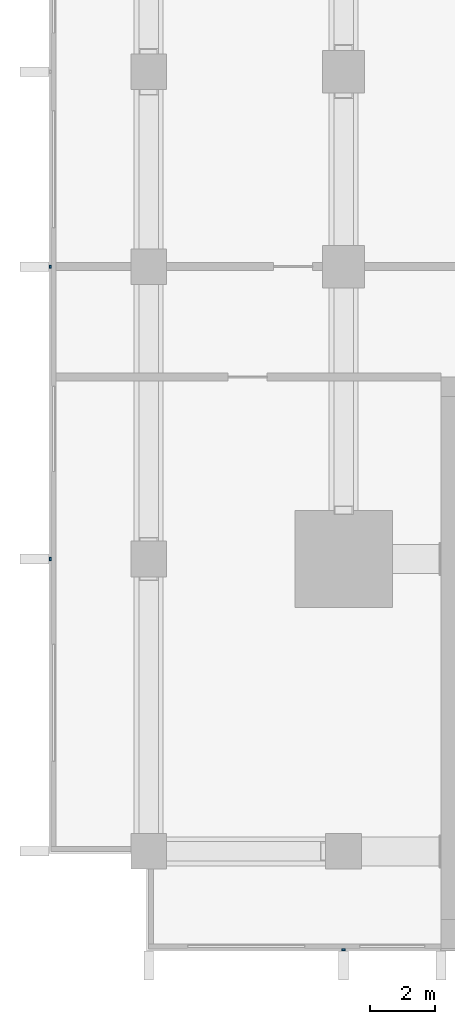
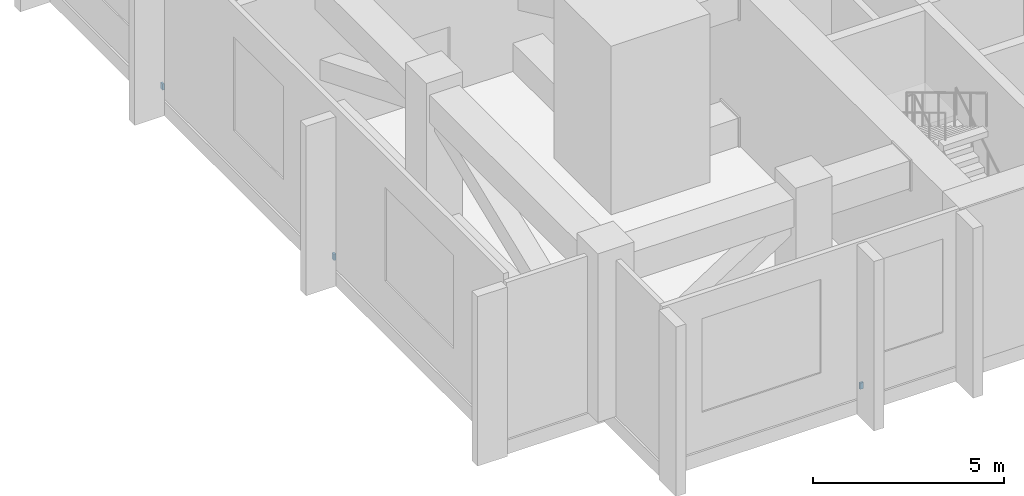
# One storey, part 6 of 13: 3 discrete accessories.
"""IFC4 building model written with IfcOpenShell, lengths in metres."""

from ifc_helpers import new_model, si_unit, direction, frame, origin, origin_2d, place, context, subcontext, project, spatial, rectangle, extrude, material, type_object, element, save


model = new_model("IFC4")

# Units and contexts
model_context = context("Model", 3, precision=1e-05, world=origin(), true_north=direction((0.0, 1.0)))
body_context = subcontext(model_context, "Body", "Model", "MODEL_VIEW")
ifc_project = project(units=[si_unit("LENGTHUNIT", "METRE"), si_unit("AREAUNIT", "SQUARE_METRE"), si_unit("VOLUMEUNIT", "CUBIC_METRE"), si_unit("PLANEANGLEUNIT", "RADIAN"), si_unit("MASSUNIT", "GRAM", prefix="KILO")], contexts=[model_context])

# Site, building, storey
site_placement = place(None, origin())
site = spatial("IfcSite", under=ifc_project, at=site_placement, CompositionType="ELEMENT")
building_placement = place(site_placement, origin())
building = spatial("IfcBuilding", under=site, at=building_placement, Name="Finial Court Residences", CompositionType="ELEMENT")
storey_placement = place(building_placement, frame((0.0, 0.0, 75.699951171875)))
storey = spatial("IfcBuildingStorey", under=building, at=storey_placement, Name="L18", CompositionType="ELEMENT", Elevation=75.699951171875)

# Discrete accessories
ifc_material = material(Name="Stainless steel 316", Category="steel")
discrete_accessory_type = type_object("IfcDiscreteAccessoryType", Name="Fin bracket, stainless steel 100 x 60 x 200", PredefinedType="BRACKET", material=ifc_material)
discrete_accessory_placement = place(storey_placement, frame((-16.5, -25.530029296875, 0.30029296875), z_axis=(0.0, 0.0, 1.0), x_axis=(1.0, 0.0, 0.0)))
element("IfcDiscreteAccessory", 1, at=discrete_accessory_placement, inside=storey, type_object=discrete_accessory_type, Name="E-L18-FIN-S18-BRK", PredefinedType="BRACKET", context=body_context, shape_type="SweptSolid", body=[
    extrude(rectangle(XDim=0.10009765625, YDim=0.06005859375, at=origin_2d()), origin(), (0.0, 0.0, 1.0), 0.199951171875),
])
for number, where, z_axis, x_axis, name in (
    (2, (-25.530029296875, -13.5, 0.30029296875), (0.0, 0.0, 1.0), (1.0, 0.0, 0.0), "E-L18-FIN-W28-BRK"),
    (3, (-25.530029296875, -4.5, 0.30029296875), (0.0, 0.0, 1.0), (1.0, 0.0, 0.0), "E-L18-FIN-W29-BRK"),
):
    element("IfcDiscreteAccessory", number, at=place(storey_placement, frame(where, z_axis=z_axis, x_axis=x_axis)), inside=storey, type_object=discrete_accessory_type, Name=name, PredefinedType="BRACKET", context=body_context, shape_type="SweptSolid", body=[
        extrude(rectangle(XDim=0.06005859375, YDim=0.10009765625, at=origin_2d()), origin(), (0.0, 0.0, 1.0), 0.199951171875),
    ])

save(model, "model.ifc")
